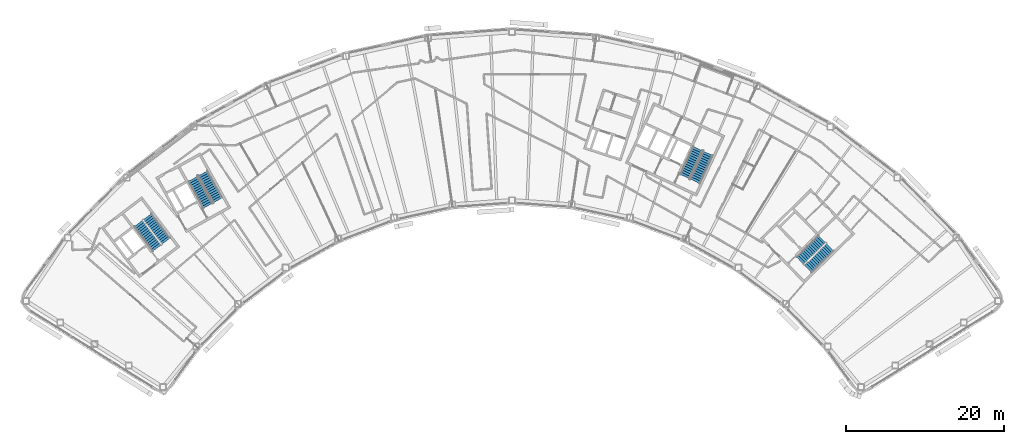
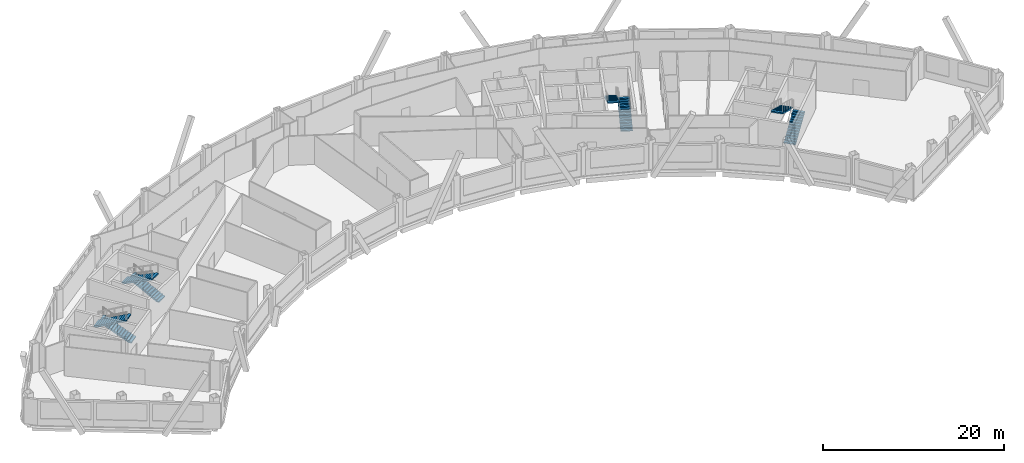
# One storey, part 12 of 14: 8 stair flights, 4 elements without a shape of their own.
"""IFC4 building model written with IfcOpenShell, lengths in metres."""

from ifc_helpers import new_model, si_unit, direction, frame, origin, place, context, subcontext, project, spatial, polyline, outline, extrude, material, type_object, element, aggregate, save


model = new_model("IFC4")

# Units and contexts
model_context = context("Model", 3, precision=1e-05, world=origin(), true_north=direction((0.0, 1.0)))
body_context = subcontext(model_context, "Body", "Model", "MODEL_VIEW")
ifc_project = project(units=[si_unit("LENGTHUNIT", "METRE"), si_unit("AREAUNIT", "SQUARE_METRE"), si_unit("VOLUMEUNIT", "CUBIC_METRE"), si_unit("PLANEANGLEUNIT", "RADIAN"), si_unit("MASSUNIT", "GRAM", prefix="KILO")], contexts=[model_context])

# Site, building, storey
site_placement = place(None, origin())
site = spatial("IfcSite", under=ifc_project, at=site_placement, CompositionType="ELEMENT")
building_placement = place(site_placement, origin())
building = spatial("IfcBuilding", under=site, at=building_placement, Name="Tuul Gate Civic Tower", CompositionType="ELEMENT")
storey_placement = place(building_placement, frame((0.0, 0.0, 256.800048828125)))
storey = spatial("IfcBuildingStorey", under=building, at=storey_placement, Name="Level 58", CompositionType="ELEMENT", Elevation=256.800048828125)

# Stair, stair flights
ifc_material_1 = material(Name="Concrete C40/50", Category="concrete")
stair_type = type_object("IfcStairType", Name="Exit stair", PredefinedType="HALF_TURN_STAIR", material=ifc_material_1)
stair_1_placement = place(storey_placement, origin())
stair_1 = element("IfcStair", 1, at=stair_1_placement, inside=storey, type_object=stair_type, Name="Level 58 ST-1", PredefinedType="HALF_TURN_STAIR")
ifc_material_2 = material(Name="Concrete C40/50", Category="concrete")
stair_flight_type = type_object("IfcStairFlightType", Name="Exit stair flight", PredefinedType="STRAIGHT", material=ifc_material_2)
stair_flight_1_placement = place(storey_placement, frame((-32.875244140625, -13.066650390625, 0.0), z_axis=(0.0, 0.0, 1.0), x_axis=(-0.605764474941, 0.795644016442, 0.0)))
stair_flight_1 = element("IfcStairFlight", 2, at=stair_flight_1_placement, type_object=stair_flight_type, Name="ST-1 flight 1", NumberOfRisers=14, NumberOfTreads=13, PredefinedType="STRAIGHT", RiserHeight=0.15, TreadLength=0.3, context=body_context, shape_type="SweptSolid", body=[
    extrude(outline(polyline([(0.0, 0.0), (0.0, 0.14990234375), (0.300048828125, 0.14990234375), (0.300048828125, 0.300048828125), (0.60009765625, 0.300048828125), (0.60009765625, 0.449951171875), (0.89990234375, 0.449951171875), (0.89990234375, 0.60009765625), (1.199951171875, 0.60009765625), (1.199951171875, 0.75), (1.5, 0.75), (1.5, 0.89990234375), (1.800048828125, 0.89990234375), (1.800048828125, 1.050048828125), (2.10009765625, 1.050048828125), (2.10009765625, 1.199951171875), (2.39990234375, 1.199951171875), (2.39990234375, 1.35009765625), (2.699951171875, 1.35009765625), (2.699951171875, 1.5), (3.0, 1.5), (3.0, 1.64990234375), (3.300048828125, 1.64990234375), (3.300048828125, 1.800048828125), (3.60009765625, 1.800048828125), (3.60009765625, 1.949951171875), (3.89990234375, 1.949951171875), (3.89990234375, 2.10009765625), (3.89990234375, 1.782470703125), (0.335205078125, 0.0), (0.0, 0.0)])), frame((0.0, 0.675048828125, 0.0), z_axis=(0.0, -1.0, 0.0), x_axis=(1.0, 0.0, 0.0)), (0.0, 0.0, 1.0), 1.35009765625),
])
stair_flight_2_placement = place(storey_placement, frame((-36.391357421875, -10.842041015625, 2.099853515625), z_axis=(0.0, 0.0, 1.0), x_axis=(0.605764474941, -0.795644016442, 0.0)))
stair_flight_2 = element("IfcStairFlight", 3, at=stair_flight_2_placement, type_object=stair_flight_type, Name="ST-1 flight 2", NumberOfRisers=14, NumberOfTreads=13, PredefinedType="STRAIGHT", RiserHeight=0.15, TreadLength=0.3, context=body_context, shape_type="SweptSolid", body=[
    extrude(outline(polyline([(0.0, 0.0), (0.0, 0.14990234375), (0.300048828125, 0.14990234375), (0.300048828125, 0.300048828125), (0.60009765625, 0.300048828125), (0.60009765625, 0.449951171875), (0.89990234375, 0.449951171875), (0.89990234375, 0.60009765625), (1.199951171875, 0.60009765625), (1.199951171875, 0.75), (1.5, 0.75), (1.5, 0.89990234375), (1.800048828125, 0.89990234375), (1.800048828125, 1.050048828125), (2.10009765625, 1.050048828125), (2.10009765625, 1.199951171875), (2.39990234375, 1.199951171875), (2.39990234375, 1.35009765625), (2.699951171875, 1.35009765625), (2.699951171875, 1.5), (3.0, 1.5), (3.0, 1.64990234375), (3.300048828125, 1.64990234375), (3.300048828125, 1.800048828125), (3.60009765625, 1.800048828125), (3.60009765625, 1.949951171875), (3.89990234375, 1.949951171875), (3.89990234375, 2.10009765625), (3.89990234375, 1.782470703125), (0.335205078125, 0.0), (0.0, 0.0)])), frame((0.0, 0.675048828125, 0.0), z_axis=(0.0, -1.0, 0.0), x_axis=(1.0, 0.0, 0.0)), (0.0, 0.0, 1.0), 1.35009765625),
])
aggregate(stair_1, [stair_flight_1, stair_flight_2])

stair_2_placement = place(storey_placement, origin())
stair_2 = element("IfcStair", 4, at=stair_2_placement, inside=storey, type_object=stair_type, Name="Level 58 ST-2", PredefinedType="HALF_TURN_STAIR")
stair_flight_3_placement = place(storey_placement, frame((-26.29150390625, -7.87646484375, 0.0), z_axis=(0.0, 0.0, 1.0), x_axis=(-0.484761763766, 0.874646232708, 0.0)))
stair_flight_3 = element("IfcStairFlight", 5, at=stair_flight_3_placement, type_object=stair_flight_type, Name="ST-2 flight 1", NumberOfRisers=14, NumberOfTreads=13, PredefinedType="STRAIGHT", RiserHeight=0.15, TreadLength=0.3, context=body_context, shape_type="SweptSolid", body=[
    extrude(outline(polyline([(0.0, 0.0), (0.0, 0.14990234375), (0.300048828125, 0.14990234375), (0.300048828125, 0.300048828125), (0.60009765625, 0.300048828125), (0.60009765625, 0.449951171875), (0.89990234375, 0.449951171875), (0.89990234375, 0.60009765625), (1.199951171875, 0.60009765625), (1.199951171875, 0.75), (1.5, 0.75), (1.5, 0.89990234375), (1.800048828125, 0.89990234375), (1.800048828125, 1.050048828125), (2.10009765625, 1.050048828125), (2.10009765625, 1.199951171875), (2.39990234375, 1.199951171875), (2.39990234375, 1.35009765625), (2.699951171875, 1.35009765625), (2.699951171875, 1.5), (3.0, 1.5), (3.0, 1.64990234375), (3.300048828125, 1.64990234375), (3.300048828125, 1.800048828125), (3.60009765625, 1.800048828125), (3.60009765625, 1.949951171875), (3.89990234375, 1.949951171875), (3.89990234375, 2.10009765625), (3.89990234375, 1.782470703125), (0.335205078125, 0.0), (0.0, 0.0)])), frame((0.0, 0.675048828125, 0.0), z_axis=(0.0, -1.0, 0.0), x_axis=(1.0, 0.0, 0.0)), (0.0, 0.0, 1.0), 1.35009765625),
])
stair_flight_4_placement = place(storey_placement, frame((-29.450439453125, -5.168212890625, 2.099853515625), z_axis=(0.0, 0.0, 1.0), x_axis=(0.484761763766, -0.874646232708, 0.0)))
stair_flight_4 = element("IfcStairFlight", 6, at=stair_flight_4_placement, type_object=stair_flight_type, Name="ST-2 flight 2", NumberOfRisers=14, NumberOfTreads=13, PredefinedType="STRAIGHT", RiserHeight=0.15, TreadLength=0.3, context=body_context, shape_type="SweptSolid", body=[
    extrude(outline(polyline([(0.0, 0.0), (0.0, 0.14990234375), (0.300048828125, 0.14990234375), (0.300048828125, 0.300048828125), (0.60009765625, 0.300048828125), (0.60009765625, 0.449951171875), (0.89990234375, 0.449951171875), (0.89990234375, 0.60009765625), (1.199951171875, 0.60009765625), (1.199951171875, 0.75), (1.5, 0.75), (1.5, 0.89990234375), (1.800048828125, 0.89990234375), (1.800048828125, 1.050048828125), (2.10009765625, 1.050048828125), (2.10009765625, 1.199951171875), (2.39990234375, 1.199951171875), (2.39990234375, 1.35009765625), (2.699951171875, 1.35009765625), (2.699951171875, 1.5), (3.0, 1.5), (3.0, 1.64990234375), (3.300048828125, 1.64990234375), (3.300048828125, 1.800048828125), (3.60009765625, 1.800048828125), (3.60009765625, 1.949951171875), (3.89990234375, 1.949951171875), (3.89990234375, 2.10009765625), (3.89990234375, 1.782470703125), (0.335205078125, 0.0), (0.0, 0.0)])), frame((0.0, 0.675048828125, 0.0), z_axis=(0.0, -1.0, 0.0), x_axis=(1.0, 0.0, 0.0)), (0.0, 0.0, 1.0), 1.35009765625),
])
aggregate(stair_2, [stair_flight_3, stair_flight_4])

stair_3_placement = place(storey_placement, origin())
stair_3 = element("IfcStair", 7, at=stair_3_placement, inside=storey, type_object=stair_type, Name="Level 58 ST-3", PredefinedType="HALF_TURN_STAIR")
stair_flight_5_placement = place(storey_placement, frame((48.61376953125, -16.581787109375, 0.0), z_axis=(0.0, 0.0, 1.0), x_axis=(0.714127290059, 0.700015866672, 0.0)))
stair_flight_5 = element("IfcStairFlight", 8, at=stair_flight_5_placement, type_object=stair_flight_type, Name="ST-3 flight 1", NumberOfRisers=14, NumberOfTreads=13, PredefinedType="STRAIGHT", RiserHeight=0.15, TreadLength=0.3, context=body_context, shape_type="SweptSolid", body=[
    extrude(outline(polyline([(0.0, 0.0), (0.0, 0.14990234375), (0.300048828125, 0.14990234375), (0.300048828125, 0.300048828125), (0.60009765625, 0.300048828125), (0.60009765625, 0.449951171875), (0.89990234375, 0.449951171875), (0.89990234375, 0.60009765625), (1.199951171875, 0.60009765625), (1.199951171875, 0.75), (1.5, 0.75), (1.5, 0.89990234375), (1.800048828125, 0.89990234375), (1.800048828125, 1.050048828125), (2.10009765625, 1.050048828125), (2.10009765625, 1.199951171875), (2.39990234375, 1.199951171875), (2.39990234375, 1.35009765625), (2.699951171875, 1.35009765625), (2.699951171875, 1.5), (3.0, 1.5), (3.0, 1.64990234375), (3.300048828125, 1.64990234375), (3.300048828125, 1.800048828125), (3.60009765625, 1.800048828125), (3.60009765625, 1.949951171875), (3.89990234375, 1.949951171875), (3.89990234375, 2.10009765625), (3.89990234375, 1.782470703125), (0.335205078125, 0.0), (0.0, 0.0)])), frame((0.0, 0.675048828125, 0.0), z_axis=(0.0, -1.0, 0.0), x_axis=(1.0, 0.0, 0.0)), (0.0, 0.0, 1.0), 1.35009765625),
])
stair_flight_6_placement = place(storey_placement, frame((50.3837890625, -12.816162109375, 2.099853515625), z_axis=(0.0, 0.0, 1.0), x_axis=(-0.714127290059, -0.700015866672, 0.0)))
stair_flight_6 = element("IfcStairFlight", 9, at=stair_flight_6_placement, type_object=stair_flight_type, Name="ST-3 flight 2", NumberOfRisers=14, NumberOfTreads=13, PredefinedType="STRAIGHT", RiserHeight=0.15, TreadLength=0.3, context=body_context, shape_type="SweptSolid", body=[
    extrude(outline(polyline([(0.0, 0.0), (0.0, 0.14990234375), (0.300048828125, 0.14990234375), (0.300048828125, 0.300048828125), (0.60009765625, 0.300048828125), (0.60009765625, 0.449951171875), (0.89990234375, 0.449951171875), (0.89990234375, 0.60009765625), (1.199951171875, 0.60009765625), (1.199951171875, 0.75), (1.5, 0.75), (1.5, 0.89990234375), (1.800048828125, 0.89990234375), (1.800048828125, 1.050048828125), (2.10009765625, 1.050048828125), (2.10009765625, 1.199951171875), (2.39990234375, 1.199951171875), (2.39990234375, 1.35009765625), (2.699951171875, 1.35009765625), (2.699951171875, 1.5), (3.0, 1.5), (3.0, 1.64990234375), (3.300048828125, 1.64990234375), (3.300048828125, 1.800048828125), (3.60009765625, 1.800048828125), (3.60009765625, 1.949951171875), (3.89990234375, 1.949951171875), (3.89990234375, 2.10009765625), (3.89990234375, 1.782470703125), (0.335205078125, 0.0), (0.0, 0.0)])), frame((0.0, 0.675048828125, 0.0), z_axis=(0.0, -1.0, 0.0), x_axis=(1.0, 0.0, 0.0)), (0.0, 0.0, 1.0), 1.35009765625),
])
aggregate(stair_3, [stair_flight_5, stair_flight_6])

stair_4_placement = place(storey_placement, origin())
stair_4 = element("IfcStair", 10, at=stair_4_placement, inside=storey, type_object=stair_type, Name="Level 58 ST-4", PredefinedType="HALF_TURN_STAIR")
stair_flight_7_placement = place(storey_placement, frame((34.278564453125, -5.478515625, 0.0), z_axis=(0.0, 0.0, 1.0), x_axis=(0.422576295988, 0.906327354806, 0.0)))
stair_flight_7 = element("IfcStairFlight", 11, at=stair_flight_7_placement, type_object=stair_flight_type, Name="ST-4 flight 1", NumberOfRisers=14, NumberOfTreads=13, PredefinedType="STRAIGHT", RiserHeight=0.15, TreadLength=0.3, context=body_context, shape_type="SweptSolid", body=[
    extrude(outline(polyline([(0.0, 0.0), (0.0, 0.14990234375), (0.300048828125, 0.14990234375), (0.300048828125, 0.300048828125), (0.60009765625, 0.300048828125), (0.60009765625, 0.449951171875), (0.89990234375, 0.449951171875), (0.89990234375, 0.60009765625), (1.199951171875, 0.60009765625), (1.199951171875, 0.75), (1.5, 0.75), (1.5, 0.89990234375), (1.800048828125, 0.89990234375), (1.800048828125, 1.050048828125), (2.10009765625, 1.050048828125), (2.10009765625, 1.199951171875), (2.39990234375, 1.199951171875), (2.39990234375, 1.35009765625), (2.699951171875, 1.35009765625), (2.699951171875, 1.5), (3.0, 1.5), (3.0, 1.64990234375), (3.300048828125, 1.64990234375), (3.300048828125, 1.800048828125), (3.60009765625, 1.800048828125), (3.60009765625, 1.949951171875), (3.89990234375, 1.949951171875), (3.89990234375, 2.10009765625), (3.89990234375, 1.782470703125), (0.335205078125, 0.0), (0.0, 0.0)])), frame((0.0, 0.675048828125, 0.0), z_axis=(0.0, -1.0, 0.0), x_axis=(1.0, 0.0, 0.0)), (0.0, 0.0, 1.0), 1.35009765625),
])
stair_flight_8_placement = place(storey_placement, frame((34.612548828125, -1.3310546875, 2.099853515625), z_axis=(0.0, 0.0, 1.0), x_axis=(-0.422576295988, -0.906327354806, 0.0)))
stair_flight_8 = element("IfcStairFlight", 12, at=stair_flight_8_placement, type_object=stair_flight_type, Name="ST-4 flight 2", NumberOfRisers=14, NumberOfTreads=13, PredefinedType="STRAIGHT", RiserHeight=0.15, TreadLength=0.3, context=body_context, shape_type="SweptSolid", body=[
    extrude(outline(polyline([(0.0, 0.0), (0.0, 0.14990234375), (0.300048828125, 0.14990234375), (0.300048828125, 0.300048828125), (0.60009765625, 0.300048828125), (0.60009765625, 0.449951171875), (0.89990234375, 0.449951171875), (0.89990234375, 0.60009765625), (1.199951171875, 0.60009765625), (1.199951171875, 0.75), (1.5, 0.75), (1.5, 0.89990234375), (1.800048828125, 0.89990234375), (1.800048828125, 1.050048828125), (2.10009765625, 1.050048828125), (2.10009765625, 1.199951171875), (2.39990234375, 1.199951171875), (2.39990234375, 1.35009765625), (2.699951171875, 1.35009765625), (2.699951171875, 1.5), (3.0, 1.5), (3.0, 1.64990234375), (3.300048828125, 1.64990234375), (3.300048828125, 1.800048828125), (3.60009765625, 1.800048828125), (3.60009765625, 1.949951171875), (3.89990234375, 1.949951171875), (3.89990234375, 2.10009765625), (3.89990234375, 1.782470703125), (0.335205078125, 0.0), (0.0, 0.0)])), frame((0.0, 0.675048828125, 0.0), z_axis=(0.0, -1.0, 0.0), x_axis=(1.0, 0.0, 0.0)), (0.0, 0.0, 1.0), 1.35009765625),
])
aggregate(stair_4, [stair_flight_7, stair_flight_8])

save(model, "model.ifc")
